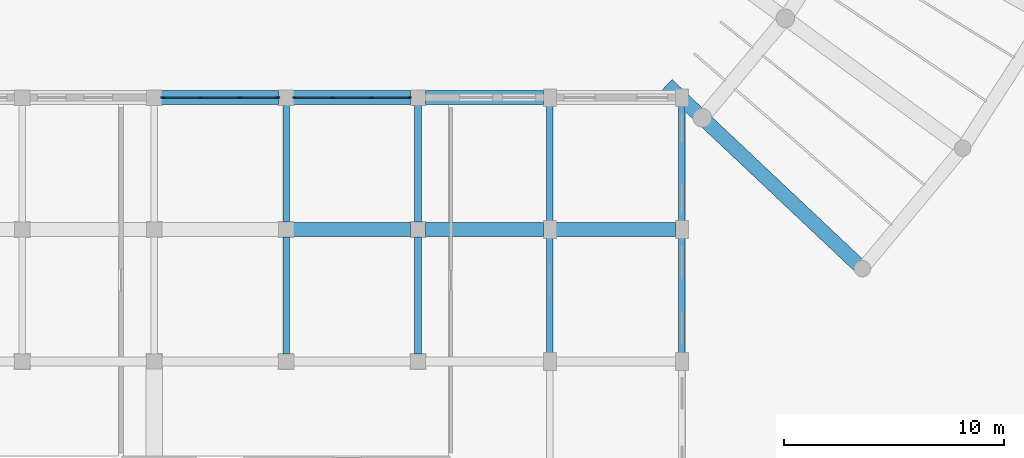
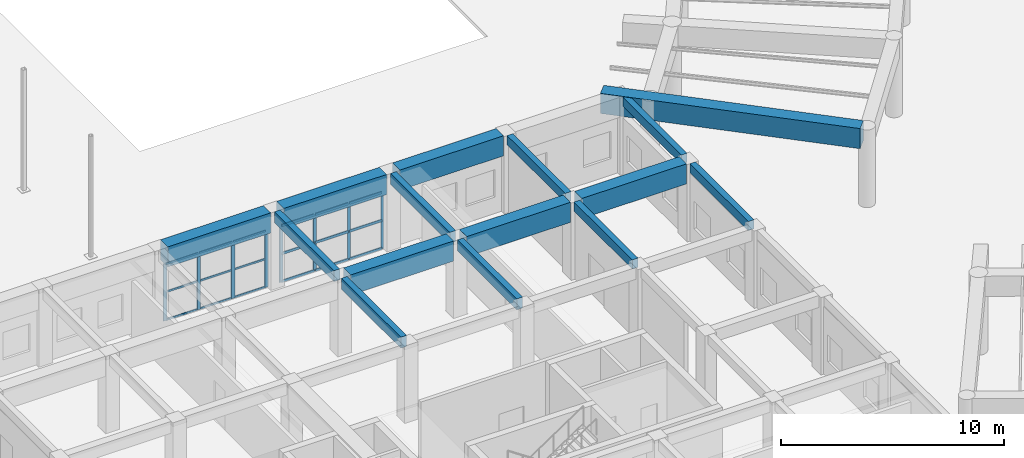
# One storey, part 12 of 76: 26 members, 15 beams, 2 elements without a shape of their own.
"""IFC4 building model written with IfcOpenShell, lengths in metres."""

import ifcopenshell
import ifcopenshell.guid

model = None  # the IFC model being written
_history = None  # IfcOwnerHistory: only IFC2X3 demands one
_inside = {}  # id of a spatial element -> (the spatial element, [elements in it])
_under = {}  # id of a project, library or spatial element -> (it, [spatial elements below it])
_declared = {}  # id of a project -> (the project, [libraries it declares])
_typed = {}  # id of a type object -> (the type object, [elements of that type])
_made_of = {}  # id of a material, layer set ... -> (it, [elements and type objects made of it])


def new_model(schema):
    """Start an empty IFC model of exactly this schema.

    Asked for "IFC4X3", IfcOpenShell would pick the latest addendum, in which some entities
    have other attributes; the version numbers below select the first issue.
    IFC2X3 requires an IfcOwnerHistory on every rooted entity: one is made here for all.
    """
    global model, _history
    if schema == "IFC4X3":
        model = ifcopenshell.file(schema_version=(4, 3, 0, 0))
    else:
        model = ifcopenshell.file(schema=schema)
    _inside.clear()
    _under.clear()
    _declared.clear()
    _typed.clear()
    _made_of.clear()
    _history = None
    if model.schema == "IFC2X3":
        org = make("IfcOrganization", Name="unknown")
        user = make(
            "IfcPersonAndOrganization",
            ThePerson=make("IfcPerson", FamilyName="unknown"),
            TheOrganization=org,
        )
        app = make(
            "IfcApplication",
            ApplicationDeveloper=org,
            Version="unknown",
            ApplicationFullName="unknown",
            ApplicationIdentifier="unknown",
        )
        _history = make(
            "IfcOwnerHistory",
            OwningUser=user,
            OwningApplication=app,
            ChangeAction="ADDED",
            CreationDate=0,
        )
    return model


def make(cls, **values):
    """One entity of the class cls with the attributes given. An attribute that is None is left unset."""
    return model.create_entity(
        cls, **{name: value for name, value in values.items() if value is not None}
    )


def rooted(cls, **values):
    """An entity with a GlobalId (a new one), such as an element, a storey or a relation."""
    return make(cls, GlobalId=ifcopenshell.guid.new(), OwnerHistory=_history, **values)


def si_unit(unit_type, name, prefix=None):
    """IfcSIUnit, for example si_unit("LENGTHUNIT", "METRE", prefix="MILLI")."""
    return make("IfcSIUnit", UnitType=unit_type, Prefix=prefix, Name=name)


def assignment(units):
    """IfcUnitAssignment: the units of a project."""
    return None if units is None else make("IfcUnitAssignment", Units=units)


def point(xyz):
    """IfcCartesianPoint."""
    return None if xyz is None else make("IfcCartesianPoint", Coordinates=xyz)


def direction(xyz):
    """IfcDirection."""
    return None if xyz is None else make("IfcDirection", DirectionRatios=xyz)


def frame(location, z_axis=None, x_axis=None):
    """IfcAxis2Placement3D, a coordinate frame: its origin and axes. An axis left out is left unset."""
    return make(
        "IfcAxis2Placement3D",
        Location=point(location),
        Axis=direction(z_axis),
        RefDirection=direction(x_axis),
    )


def frame_2d(location, x_axis=None):
    """IfcAxis2Placement2D, a coordinate frame in the plane: its origin and x axis."""
    return make(
        "IfcAxis2Placement2D", Location=point(location), RefDirection=direction(x_axis)
    )


def origin():
    """The frame at (0, 0, 0) with its axes left unset."""
    return frame((0.0, 0.0, 0.0))


def origin_2d():
    """The frame at (0, 0) in the plane with its x axis left unset."""
    return frame_2d((0.0, 0.0))


def place(relative_to, where):
    """IfcLocalPlacement: puts the frame where relative to a parent placement (None: the world)."""
    return make(
        "IfcLocalPlacement", PlacementRelTo=relative_to, RelativePlacement=where
    )


def context(
    kind, dimensions, precision=None, world=None, true_north=None, identifier=None
):
    """IfcGeometricRepresentationContext, for example the 3D "Model" context."""
    return make(
        "IfcGeometricRepresentationContext",
        ContextIdentifier=identifier,
        ContextType=kind,
        CoordinateSpaceDimension=dimensions,
        Precision=precision,
        WorldCoordinateSystem=world,
        TrueNorth=true_north,
    )


def subcontext(parent, identifier, kind, view, scale=None):
    """IfcGeometricRepresentationSubContext, for example "Body" below "Model"."""
    return make(
        "IfcGeometricRepresentationSubContext",
        ContextIdentifier=identifier,
        ContextType=kind,
        ParentContext=parent,
        TargetScale=scale,
        TargetView=view,
    )


def project(units=None, contexts=None):
    """IfcProject with its units and contexts."""
    return rooted(
        "IfcProject",
        Name="project",
        RepresentationContexts=contexts,
        UnitsInContext=assignment(units),
    )


def spatial(cls, under=None, at=None, **own):
    """A site, building, storey or space (cls), placed at a placement, below another one or the project."""
    s = rooted(cls, ObjectPlacement=at, **own)
    if under is not None:
        _under.setdefault(under.id(), (under, []))[1].append(s)
    return s


def profile(cls, at=None, kind="AREA", **sizes):
    """A parametric profile (cls). Its sizes go by their IFC names, for example OverallWidth=200.0."""
    return make(cls, ProfileType=kind, Position=at, **sizes)


def rectangle(**sizes):
    """IfcRectangleProfileDef."""
    return profile("IfcRectangleProfileDef", **sizes)


def extrude(swept, where, along, depth):
    """IfcExtrudedAreaSolid: the profile swept, set in the frame where, extruded along a direction by depth."""
    return make(
        "IfcExtrudedAreaSolid",
        SweptArea=swept,
        Position=where,
        ExtrudedDirection=direction(along),
        Depth=depth,
    )


def shape(context_of_items, identifier, shape_type, items):
    """IfcShapeRepresentation: the items that make up one representation, for example the "Body"."""
    return make(
        "IfcShapeRepresentation",
        ContextOfItems=context_of_items,
        RepresentationIdentifier=identifier,
        RepresentationType=shape_type,
        Items=items,
    )


def material(Name=None, Category=None):
    """IfcMaterial."""
    return make("IfcMaterial", Name=Name, Category=Category)


def layer(
    of_material, thickness, ventilated=None, Name=None, Category=None, Priority=None
):
    """IfcMaterialLayer: one layer of a wall or slab, of a material (None: an air gap)."""
    return make(
        "IfcMaterialLayer",
        Material=of_material,
        LayerThickness=thickness,
        IsVentilated=ventilated,
        Name=Name,
        Category=Category,
        Priority=Priority,
    )


def layer_set(layers, Name=None):
    """IfcMaterialLayerSet."""
    return make("IfcMaterialLayerSet", MaterialLayers=layers, LayerSetName=Name)


def material_profile(
    of_material, cross_section, Name=None, Category=None, Priority=None
):
    """IfcMaterialProfile: a cross section and its material."""
    return make(
        "IfcMaterialProfile",
        Name=Name,
        Material=of_material,
        Profile=cross_section,
        Priority=Priority,
        Category=Category,
    )


def profile_set(profiles, Name=None, composite=None):
    """IfcMaterialProfileSet."""
    return make(
        "IfcMaterialProfileSet",
        Name=Name,
        MaterialProfiles=profiles,
        CompositeProfile=composite,
    )


def made_of(thing, what):
    """Note that an element or type object is made of a material, layer set ...; save() writes the relation."""
    if what is not None:
        _made_of.setdefault(what.id(), (what, []))[1].append(thing)
    return thing


def type_object(cls, material=None, **own):
    """A type object (cls), such as IfcWallType, which elements share."""
    return made_of(rooted(cls, **own), material)


def element(
    cls,
    number,
    at=None,
    inside=None,
    cuts=None,
    type_object=None,
    material=None,
    context=None,
    identifier="Body",
    shape_type=None,
    held_by="IfcProductDefinitionShape",
    body=None,
    shapes=None,
    **own,
):
    """One element of the class cls, such as IfcWall. Its Tag is "e" and its number.

    at: its placement. inside: the storey or other place that contains it. cuts: it is an
    opening in that element (IfcRelVoidsElement). A single representation is given by context,
    identifier, shape_type and body (its items); several are given by shapes. held_by: the class
    of the entity that holds the representations. save() writes the other relations.
    """
    e = rooted(cls, Tag="e%d" % number, ObjectPlacement=at, **own)
    if body is not None:
        shapes = [shape(context, identifier, shape_type, body)]
    if shapes is not None:
        e.Representation = make(held_by, Representations=shapes)
    if inside is not None:
        _inside.setdefault(inside.id(), (inside, []))[1].append(e)
    if cuts is not None:
        rooted(
            "IfcRelVoidsElement", RelatingBuildingElement=cuts, RelatedOpeningElement=e
        )
    if type_object is not None:
        _typed.setdefault(type_object.id(), (type_object, []))[1].append(e)
    return made_of(e, material)


def aggregate(whole, parts):
    """IfcRelAggregates: a whole, such as a stair, and the parts it consists of."""
    return rooted("IfcRelAggregates", RelatingObject=whole, RelatedObjects=parts)


def save(model, path):
    """Write the relations noted so far, then the file.

    IfcRelAggregates (storeys below a building ...), IfcRelContainedInSpatialStructure (elements
    in a storey), IfcRelDefinesByType, IfcRelAssociatesMaterial and IfcRelDeclares: one each for
    every whole, place, type object, material and project.
    """
    for whole, parts in _under.values():
        aggregate(whole, parts)
    for where, things in _inside.values():
        rooted(
            "IfcRelContainedInSpatialStructure",
            RelatedElements=things,
            RelatingStructure=where,
        )
    for kind, things in _typed.values():
        rooted("IfcRelDefinesByType", RelatedObjects=things, RelatingType=kind)
    for what, things in _made_of.values():
        rooted("IfcRelAssociatesMaterial", RelatedObjects=things, RelatingMaterial=what)
    for by, libraries in _declared.values():
        rooted("IfcRelDeclares", RelatingContext=by, RelatedDefinitions=libraries)
    model.write(path)


model = new_model("IFC4")

# Units and contexts
model_context = context("Model", 3, precision=1e-05, world=origin(), true_north=direction((0.0, 1.0)))
body_context = subcontext(model_context, "Body", "Model", "MODEL_VIEW")
ifc_project = project(units=[si_unit("LENGTHUNIT", "METRE"), si_unit("AREAUNIT", "SQUARE_METRE"), si_unit("VOLUMEUNIT", "CUBIC_METRE"), si_unit("PLANEANGLEUNIT", "RADIAN"), si_unit("MASSUNIT", "GRAM", prefix="KILO"), si_unit("POWERUNIT", "WATT"), si_unit("THERMODYNAMICTEMPERATUREUNIT", "KELVIN")], contexts=[model_context])

# Site, building, storey
site_placement = place(None, origin())
site = spatial("IfcSite", under=ifc_project, at=site_placement, CompositionType="ELEMENT")
building_placement = place(site_placement, origin())
building = spatial("IfcBuilding", under=site, at=building_placement, Name="Ruvembo Vaulted Housing Court", CompositionType="ELEMENT")
storey_placement = place(building_placement, origin())
storey = spatial("IfcBuildingStorey", under=building, at=storey_placement, Name="L00", CompositionType="ELEMENT", Elevation=0.0)

# Beams
ifc_material_1 = material(Name="Concrete C35/45", Category="concrete")
ifc_material_profile_1 = material_profile(ifc_material_1, rectangle(XDim=0.300048828125, YDim=0.60009765625, at=origin_2d()), Name="RC 300x600")
ifc_profile_set_1 = profile_set([ifc_material_profile_1], Name="Concrete C35/45")
beam_type_1 = type_object("IfcBeamType", Name="BM-RC-300x600", PredefinedType="BEAM", material=ifc_profile_set_1)
for number, where, z_axis, x_axis, name in (
    (1, (18.0, 30.3349609375, 3.929931640625), (0.0, 1.0, 0.0), (-1.0, 0.0, 0.0), "L00 Grid Beam Y #964"),
    (2, (18.0, 36.3349609375, 3.929931640625), (0.0, 1.0, 0.0), (-1.0, 0.0, 0.0), "L00 Grid Beam Y #965"),
    (3, (24.0, 30.3349609375, 3.929931640625), (0.0, 1.0, 0.0), (-1.0, 0.0, 0.0), "L00 Grid Beam Y #970"),
    (4, (24.0, 36.3349609375, 3.929931640625), (0.0, 1.0, 0.0), (-1.0, 0.0, 0.0), "L00 Grid Beam Y #971"),
):
    element("IfcBeam", number, at=place(storey_placement, frame(where, z_axis=z_axis, x_axis=x_axis)), inside=storey, type_object=beam_type_1, Name=name, PredefinedType="BEAM", context=body_context, shape_type="SweptSolid", body=[
        extrude(rectangle(XDim=0.300048828125, YDim=0.60009765625, at=origin_2d()), origin(), (0.0, 0.0, 1.0), 5.330078125),
    ])

# Curtain wall, members
ifc_material_2 = material(Name="Anodised Aluminium and Solar-Control Glass", Category="aluminium")
ifc_layer = layer(ifc_material_2, 0.159912109375, Name="Anodised Aluminium and Solar-Control Glass")
ifc_layer_set = layer_set([ifc_layer], Name="Anodised Aluminium and Solar-Control Glass")
curtain_wall_type = type_object("IfcCurtainWallType", Name="CW-LOBBY", PredefinedType="NOTDEFINED", material=ifc_layer_set)
curtain_wall_1_placement = place(storey_placement, origin())
curtain_wall_1 = element("IfcCurtainWall", 5, at=curtain_wall_1_placement, inside=storey, type_object=curtain_wall_type, Name="L00 Curtain Wall CW-L00-0002", PredefinedType="NOTDEFINED")
ifc_material_3 = material(Name="Anodised Aluminium 6063-T6", Category="aluminium")
ifc_material_profile_2 = material_profile(ifc_material_3, rectangle(XDim=0.06494140625, YDim=0.179931640625, at=origin_2d()), Name="ALU 65x180")
ifc_profile_set_2 = profile_set([ifc_material_profile_2], Name="Anodised Aluminium 6063-T6")
member_type_1 = type_object("IfcMemberType", Name="CW-MUL-65x180", PredefinedType="MULLION", material=ifc_profile_set_2)
member_1_placement = place(storey_placement, frame((17.617431640625, 42.0, 0.0), z_axis=(0.0, 0.0, 1.0), x_axis=(0.0, -1.0, 0.0)))
member_1 = element("IfcMember", 6, at=member_1_placement, type_object=member_type_1, Name="CW5 mullion 1", PredefinedType="MULLION", context=body_context, shape_type="SweptSolid", body=[
    extrude(rectangle(XDim=0.06494140625, YDim=0.179931640625, at=origin_2d()), origin(), (0.0, 0.0, 1.0), 3.112060546875),
])
member_2_placement = place(storey_placement, frame((15.88330078125, 42.0, 0.0), z_axis=(0.0, 0.0, 1.0), x_axis=(0.0, -1.0, 0.0)))
member_2 = element("IfcMember", 7, at=member_2_placement, type_object=member_type_1, Name="CW5 mullion 2", PredefinedType="MULLION", context=body_context, shape_type="SweptSolid", body=[
    extrude(rectangle(XDim=0.06494140625, YDim=0.179931640625, at=origin_2d()), origin(), (0.0, 0.0, 1.0), 3.112060546875),
])
member_3_placement = place(storey_placement, frame((14.11669921875, 42.0, 0.0), z_axis=(0.0, 0.0, 1.0), x_axis=(0.0, -1.0, 0.0)))
member_3 = element("IfcMember", 8, at=member_3_placement, type_object=member_type_1, Name="CW5 mullion 3", PredefinedType="MULLION", context=body_context, shape_type="SweptSolid", body=[
    extrude(rectangle(XDim=0.06494140625, YDim=0.179931640625, at=origin_2d()), origin(), (0.0, 0.0, 1.0), 3.112060546875),
])
member_4_placement = place(storey_placement, frame((12.382568359375, 42.0, 0.0), z_axis=(0.0, 0.0, 1.0), x_axis=(0.0, -1.0, 0.0)))
member_4 = element("IfcMember", 9, at=member_4_placement, type_object=member_type_1, Name="CW5 mullion 4", PredefinedType="MULLION", context=body_context, shape_type="SweptSolid", body=[
    extrude(rectangle(XDim=0.06494140625, YDim=0.179931640625, at=origin_2d()), origin(), (0.0, 0.0, 1.0), 3.112060546875),
])

curtain_wall_2_placement = place(storey_placement, origin())
curtain_wall_2 = element("IfcCurtainWall", 10, at=curtain_wall_2_placement, inside=storey, type_object=curtain_wall_type, Name="L00 Curtain Wall CW-L00-0001", PredefinedType="NOTDEFINED")
ifc_material_profile_3 = material_profile(ifc_material_3, rectangle(XDim=0.06005859375, YDim=0.159912109375, at=origin_2d()), Name="ALU 60x160")
ifc_profile_set_3 = profile_set([ifc_material_profile_3], Name="Anodised Aluminium 6063-T6")
member_type_2 = type_object("IfcMemberType", Name="CW-MULLION-65x150", PredefinedType="MULLION", material=ifc_profile_set_3)
member_5_placement = place(storey_placement, frame((23.6201171875, 42.0, 0.0), z_axis=(0.0, 0.0, 1.0), x_axis=(0.0, -1.0, 0.0)))
member_5 = element("IfcMember", 11, at=member_5_placement, type_object=member_type_2, Name="CW5 mullion 1", PredefinedType="MULLION", context=body_context, shape_type="SweptSolid", body=[
    extrude(rectangle(XDim=0.06005859375, YDim=0.159912109375, at=origin_2d()), origin(), (0.0, 0.0, 1.0), 3.112060546875),
])
member_6_placement = place(storey_placement, frame((21.88330078125, 42.0, 0.0), z_axis=(0.0, 0.0, 1.0), x_axis=(0.0, -1.0, 0.0)))
member_6 = element("IfcMember", 12, at=member_6_placement, type_object=member_type_2, Name="CW5 mullion 2", PredefinedType="MULLION", context=body_context, shape_type="SweptSolid", body=[
    extrude(rectangle(XDim=0.06005859375, YDim=0.159912109375, at=origin_2d()), origin(), (0.0, 0.0, 1.0), 3.112060546875),
])
member_7_placement = place(storey_placement, frame((20.11669921875, 42.0, 0.0), z_axis=(0.0, 0.0, 1.0), x_axis=(0.0, -1.0, 0.0)))
member_7 = element("IfcMember", 13, at=member_7_placement, type_object=member_type_2, Name="CW5 mullion 3", PredefinedType="MULLION", context=body_context, shape_type="SweptSolid", body=[
    extrude(rectangle(XDim=0.06005859375, YDim=0.159912109375, at=origin_2d()), origin(), (0.0, 0.0, 1.0), 3.112060546875),
])
member_8_placement = place(storey_placement, frame((18.3798828125, 42.0, 0.0), z_axis=(0.0, 0.0, 1.0), x_axis=(0.0, -1.0, 0.0)))
member_8 = element("IfcMember", 14, at=member_8_placement, type_object=member_type_2, Name="CW5 mullion 4", PredefinedType="MULLION", context=body_context, shape_type="SweptSolid", body=[
    extrude(rectangle(XDim=0.06005859375, YDim=0.159912109375, at=origin_2d()), origin(), (0.0, 0.0, 1.0), 3.112060546875),
])

# Member
ifc_material_profile_4 = material_profile(ifc_material_3, rectangle(XDim=0.06005859375, YDim=0.10009765625, at=origin_2d()), Name="ALU 60x100")
ifc_profile_set_4 = profile_set([ifc_material_profile_4], Name="Anodised Aluminium 6063-T6")
member_type_3 = type_object("IfcMemberType", Name="CW-TRN-60x100", PredefinedType="USERDEFINED", material=ifc_profile_set_4)
member_9_placement = place(storey_placement, frame((17.5849609375, 42.0, 0.030029296875), z_axis=(-1.0, 0.0, 0.0), x_axis=(0.0, -1.0, 0.0)))
member_9 = element("IfcMember", 15, at=member_9_placement, type_object=member_type_3, Name="CW5 transom 1.1", ObjectType="TRANSOM", PredefinedType="USERDEFINED", context=body_context, shape_type="SweptSolid", body=[
    extrude(rectangle(XDim=0.06005859375, YDim=0.10009765625, at=origin_2d()), origin(), (0.0, 0.0, 1.0), 1.669189453125),
])

member_10_placement = place(storey_placement, frame((17.5849609375, 42.0, 1.555908203125), z_axis=(-1.0, 0.0, 0.0), x_axis=(0.0, -1.0, 0.0)))
member_10 = element("IfcMember", 16, at=member_10_placement, type_object=member_type_3, Name="CW5 transom 1.2", ObjectType="TRANSOM", PredefinedType="USERDEFINED", context=body_context, shape_type="SweptSolid", body=[
    extrude(rectangle(XDim=0.06005859375, YDim=0.10009765625, at=origin_2d()), origin(), (0.0, 0.0, 1.0), 1.669189453125),
])

member_11_placement = place(storey_placement, frame((17.5849609375, 42.0, 3.08203125), z_axis=(-1.0, 0.0, 0.0), x_axis=(0.0, -1.0, 0.0)))
member_11 = element("IfcMember", 17, at=member_11_placement, type_object=member_type_3, Name="CW5 transom 1.3", ObjectType="TRANSOM", PredefinedType="USERDEFINED", context=body_context, shape_type="SweptSolid", body=[
    extrude(rectangle(XDim=0.06005859375, YDim=0.10009765625, at=origin_2d()), origin(), (0.0, 0.0, 1.0), 1.669189453125),
])

member_12_placement = place(storey_placement, frame((15.850830078125, 42.0, 0.030029296875), z_axis=(-1.0, 0.0, 0.0), x_axis=(0.0, -1.0, 0.0)))
member_12 = element("IfcMember", 18, at=member_12_placement, type_object=member_type_3, Name="CW5 transom 2.1", ObjectType="TRANSOM", PredefinedType="USERDEFINED", context=body_context, shape_type="SweptSolid", body=[
    extrude(rectangle(XDim=0.06005859375, YDim=0.10009765625, at=origin_2d()), origin(), (0.0, 0.0, 1.0), 1.70166015625),
])

member_13_placement = place(storey_placement, frame((15.850830078125, 42.0, 1.555908203125), z_axis=(-1.0, 0.0, 0.0), x_axis=(0.0, -1.0, 0.0)))
member_13 = element("IfcMember", 19, at=member_13_placement, type_object=member_type_3, Name="CW5 transom 2.2", ObjectType="TRANSOM", PredefinedType="USERDEFINED", context=body_context, shape_type="SweptSolid", body=[
    extrude(rectangle(XDim=0.06005859375, YDim=0.10009765625, at=origin_2d()), origin(), (0.0, 0.0, 1.0), 1.70166015625),
])

member_14_placement = place(storey_placement, frame((15.850830078125, 42.0, 3.08203125), z_axis=(-1.0, 0.0, 0.0), x_axis=(0.0, -1.0, 0.0)))
member_14 = element("IfcMember", 20, at=member_14_placement, type_object=member_type_3, Name="CW5 transom 2.3", ObjectType="TRANSOM", PredefinedType="USERDEFINED", context=body_context, shape_type="SweptSolid", body=[
    extrude(rectangle(XDim=0.06005859375, YDim=0.10009765625, at=origin_2d()), origin(), (0.0, 0.0, 1.0), 1.70166015625),
])

member_15_placement = place(storey_placement, frame((14.084228515625, 42.0, 0.030029296875), z_axis=(-1.0, 0.0, 0.0), x_axis=(0.0, -1.0, 0.0)))
member_15 = element("IfcMember", 21, at=member_15_placement, type_object=member_type_3, Name="CW5 transom 3.1", ObjectType="TRANSOM", PredefinedType="USERDEFINED", context=body_context, shape_type="SweptSolid", body=[
    extrude(rectangle(XDim=0.06005859375, YDim=0.10009765625, at=origin_2d()), origin(), (0.0, 0.0, 1.0), 1.669189453125),
])

member_16_placement = place(storey_placement, frame((14.084228515625, 42.0, 1.555908203125), z_axis=(-1.0, 0.0, 0.0), x_axis=(0.0, -1.0, 0.0)))
member_16 = element("IfcMember", 22, at=member_16_placement, type_object=member_type_3, Name="CW5 transom 3.2", ObjectType="TRANSOM", PredefinedType="USERDEFINED", context=body_context, shape_type="SweptSolid", body=[
    extrude(rectangle(XDim=0.06005859375, YDim=0.10009765625, at=origin_2d()), origin(), (0.0, 0.0, 1.0), 1.669189453125),
])

member_17_placement = place(storey_placement, frame((14.084228515625, 42.0, 3.08203125), z_axis=(-1.0, 0.0, 0.0), x_axis=(0.0, -1.0, 0.0)))
member_17 = element("IfcMember", 23, at=member_17_placement, type_object=member_type_3, Name="CW5 transom 3.3", ObjectType="TRANSOM", PredefinedType="USERDEFINED", context=body_context, shape_type="SweptSolid", body=[
    extrude(rectangle(XDim=0.06005859375, YDim=0.10009765625, at=origin_2d()), origin(), (0.0, 0.0, 1.0), 1.669189453125),
])

aggregate(curtain_wall_1, [member_1, member_2, member_3, member_4, member_9, member_10, member_11, member_12, member_13, member_14, member_15, member_16, member_17])

ifc_material_profile_5 = material_profile(ifc_material_3, rectangle(XDim=0.06494140625, YDim=0.135009765625, at=origin_2d()), Name="ALU 65x135")
ifc_profile_set_5 = profile_set([ifc_material_profile_5], Name="Anodised Aluminium 6063-T6")
member_type_4 = type_object("IfcMemberType", Name="CW-TRN-65x135", PredefinedType="USERDEFINED", material=ifc_profile_set_5)
member_18_placement = place(storey_placement, frame((23.590087890625, 42.0, 0.032470703125), z_axis=(-1.0, 0.0, 0.0), x_axis=(0.0, -1.0, 0.0)))
member_18 = element("IfcMember", 24, at=member_18_placement, type_object=member_type_4, Name="CW5 transom 1.1", ObjectType="TRANSOM", PredefinedType="USERDEFINED", context=body_context, shape_type="SweptSolid", body=[
    extrude(rectangle(XDim=0.06494140625, YDim=0.135009765625, at=origin_2d()), origin(), (0.0, 0.0, 1.0), 1.6767578125),
])

member_19_placement = place(storey_placement, frame((23.590087890625, 42.0, 1.555908203125), z_axis=(-1.0, 0.0, 0.0), x_axis=(0.0, -1.0, 0.0)))
member_19 = element("IfcMember", 25, at=member_19_placement, type_object=member_type_4, Name="CW5 transom 1.2", ObjectType="TRANSOM", PredefinedType="USERDEFINED", context=body_context, shape_type="SweptSolid", body=[
    extrude(rectangle(XDim=0.06494140625, YDim=0.135009765625, at=origin_2d()), origin(), (0.0, 0.0, 1.0), 1.6767578125),
])

member_20_placement = place(storey_placement, frame((23.590087890625, 42.0, 3.07958984375), z_axis=(-1.0, 0.0, 0.0), x_axis=(0.0, -1.0, 0.0)))
member_20 = element("IfcMember", 26, at=member_20_placement, type_object=member_type_4, Name="CW5 transom 1.3", ObjectType="TRANSOM", PredefinedType="USERDEFINED", context=body_context, shape_type="SweptSolid", body=[
    extrude(rectangle(XDim=0.06494140625, YDim=0.135009765625, at=origin_2d()), origin(), (0.0, 0.0, 1.0), 1.6767578125),
])

member_21_placement = place(storey_placement, frame((21.853271484375, 42.0, 0.032470703125), z_axis=(-1.0, 0.0, 0.0), x_axis=(0.0, -1.0, 0.0)))
member_21 = element("IfcMember", 27, at=member_21_placement, type_object=member_type_4, Name="CW5 transom 2.1", ObjectType="TRANSOM", PredefinedType="USERDEFINED", context=body_context, shape_type="SweptSolid", body=[
    extrude(rectangle(XDim=0.06494140625, YDim=0.135009765625, at=origin_2d()), origin(), (0.0, 0.0, 1.0), 1.70654296875),
])

member_22_placement = place(storey_placement, frame((21.853271484375, 42.0, 1.555908203125), z_axis=(-1.0, 0.0, 0.0), x_axis=(0.0, -1.0, 0.0)))
member_22 = element("IfcMember", 28, at=member_22_placement, type_object=member_type_4, Name="CW5 transom 2.2", ObjectType="TRANSOM", PredefinedType="USERDEFINED", context=body_context, shape_type="SweptSolid", body=[
    extrude(rectangle(XDim=0.06494140625, YDim=0.135009765625, at=origin_2d()), origin(), (0.0, 0.0, 1.0), 1.70654296875),
])

member_23_placement = place(storey_placement, frame((21.853271484375, 42.0, 3.07958984375), z_axis=(-1.0, 0.0, 0.0), x_axis=(0.0, -1.0, 0.0)))
member_23 = element("IfcMember", 29, at=member_23_placement, type_object=member_type_4, Name="CW5 transom 2.3", ObjectType="TRANSOM", PredefinedType="USERDEFINED", context=body_context, shape_type="SweptSolid", body=[
    extrude(rectangle(XDim=0.06494140625, YDim=0.135009765625, at=origin_2d()), origin(), (0.0, 0.0, 1.0), 1.70654296875),
])

member_24_placement = place(storey_placement, frame((20.086669921875, 42.0, 0.032470703125), z_axis=(-1.0, 0.0, 0.0), x_axis=(0.0, -1.0, 0.0)))
member_24 = element("IfcMember", 30, at=member_24_placement, type_object=member_type_4, Name="CW5 transom 3.1", ObjectType="TRANSOM", PredefinedType="USERDEFINED", context=body_context, shape_type="SweptSolid", body=[
    extrude(rectangle(XDim=0.06494140625, YDim=0.135009765625, at=origin_2d()), origin(), (0.0, 0.0, 1.0), 1.6767578125),
])

member_25_placement = place(storey_placement, frame((20.086669921875, 42.0, 1.555908203125), z_axis=(-1.0, 0.0, 0.0), x_axis=(0.0, -1.0, 0.0)))
member_25 = element("IfcMember", 31, at=member_25_placement, type_object=member_type_4, Name="CW5 transom 3.2", ObjectType="TRANSOM", PredefinedType="USERDEFINED", context=body_context, shape_type="SweptSolid", body=[
    extrude(rectangle(XDim=0.06494140625, YDim=0.135009765625, at=origin_2d()), origin(), (0.0, 0.0, 1.0), 1.6767578125),
])

member_26_placement = place(storey_placement, frame((20.086669921875, 42.0, 3.07958984375), z_axis=(-1.0, 0.0, 0.0), x_axis=(0.0, -1.0, 0.0)))
member_26 = element("IfcMember", 32, at=member_26_placement, type_object=member_type_4, Name="CW5 transom 3.3", ObjectType="TRANSOM", PredefinedType="USERDEFINED", context=body_context, shape_type="SweptSolid", body=[
    extrude(rectangle(XDim=0.06494140625, YDim=0.135009765625, at=origin_2d()), origin(), (0.0, 0.0, 1.0), 1.6767578125),
])

aggregate(curtain_wall_2, [member_5, member_6, member_7, member_8, member_18, member_19, member_20, member_21, member_22, member_23, member_24, member_25, member_26])

# Beams
ifc_material_profile_6 = material_profile(ifc_material_1, rectangle(XDim=0.300048828125, YDim=0.5, at=origin_2d()), Name="RC 300x500")
ifc_profile_set_6 = profile_set([ifc_material_profile_6], Name="Concrete C35/45")
beam_type_2 = type_object("IfcBeamType", Name="SP-RC-300x500", PredefinedType="SPANDREL", material=ifc_profile_set_6)
for number, where, z_axis, x_axis, name in (
    (33, (30.0, 30.385009765625, 3.97998046875), (0.0, 1.0, 0.0), (-1.0, 0.0, 0.0), "L00 Grid Beam Y #978"),
    (34, (30.0, 36.385009765625, 3.97998046875), (0.0, 1.0, 0.0), (-1.0, 0.0, 0.0), "L00 Grid Beam Y #979"),
    (35, (36.0, 30.385009765625, 3.97998046875), (0.0, 1.0, 0.0), (-1.0, 0.0, 0.0), "L00 Grid Beam Y #986"),
    (36, (36.0, 36.385009765625, 3.97998046875), (0.0, 1.0, 0.0), (-1.0, 0.0, 0.0), "L00 Grid Beam Y #987"),
):
    element("IfcBeam", number, at=place(storey_placement, frame(where, z_axis=z_axis, x_axis=x_axis)), inside=storey, type_object=beam_type_2, Name=name, PredefinedType="SPANDREL", context=body_context, shape_type="SweptSolid", body=[
        extrude(rectangle(XDim=0.300048828125, YDim=0.5, at=origin_2d()), origin(), (0.0, 0.0, 1.0), 5.22998046875),
    ])
ifc_material_4 = material(Name="Concrete C40/50", Category="concrete")
ifc_material_profile_7 = material_profile(ifc_material_4, rectangle(XDim=0.64990234375, YDim=1.10009765625, at=origin_2d()), Name="RC 650x1100")
ifc_profile_set_7 = profile_set([ifc_material_profile_7], Name="Concrete C40/50")
beam_type_3 = type_object("IfcBeamType", Name="TB-RC-650x1100", PredefinedType="BEAM", material=ifc_profile_set_7)
beam_1_placement = place(storey_placement, frame((18.3349609375, 36.0, 3.679931640625), z_axis=(1.0, 0.0, 0.0), x_axis=(0.0, 1.0, 0.0)))
element("IfcBeam", 37, at=beam_1_placement, inside=storey, type_object=beam_type_3, Name="L00 Grid Beam X #814", PredefinedType="BEAM", context=body_context, shape_type="SweptSolid", body=[
    extrude(rectangle(XDim=0.64990234375, YDim=1.10009765625, at=origin_2d()), origin(), (0.0, 0.0, 1.0), 5.330078125),
])
beam_2_placement = place(storey_placement, frame((24.3349609375, 36.0, 3.679931640625), z_axis=(1.0, 0.0, 0.0), x_axis=(0.0, 1.0, 0.0)))
element("IfcBeam", 38, at=beam_2_placement, inside=storey, type_object=beam_type_3, Name="L00 Grid Beam X #815", PredefinedType="BEAM", context=body_context, shape_type="SweptSolid", body=[
    extrude(rectangle(XDim=0.64990234375, YDim=1.10009765625, at=origin_2d()), origin(), (0.0, 0.0, 1.0), 5.380126953125),
])
beam_3_placement = place(storey_placement, frame((30.284912109375, 36.0, 3.679931640625), z_axis=(1.0, 0.0, 0.0), x_axis=(0.0, 1.0, 0.0)))
element("IfcBeam", 39, at=beam_3_placement, inside=storey, type_object=beam_type_3, Name="L00 Grid Beam X #816", PredefinedType="BEAM", context=body_context, shape_type="SweptSolid", body=[
    extrude(rectangle(XDim=0.64990234375, YDim=1.10009765625, at=origin_2d()), origin(), (0.0, 0.0, 1.0), 5.43017578125),
])
for number, where, z_axis, x_axis, name in (
    (40, (12.3349609375, 42.0, 3.679931640625), (1.0, 0.0, 0.0), (0.0, 1.0, 0.0), "L00 Grid Beam X #832"),
    (41, (18.3349609375, 42.0, 3.679931640625), (1.0, 0.0, 0.0), (0.0, 1.0, 0.0), "L00 Grid Beam X #833"),
):
    element("IfcBeam", number, at=place(storey_placement, frame(where, z_axis=z_axis, x_axis=x_axis)), inside=storey, type_object=beam_type_3, Name=name, PredefinedType="BEAM", context=body_context, shape_type="SweptSolid", body=[
        extrude(rectangle(XDim=0.64990234375, YDim=1.10009765625, at=origin_2d()), origin(), (0.0, 0.0, 1.0), 5.330078125),
    ])
beam_4_placement = place(storey_placement, frame((24.3349609375, 42.0, 3.679931640625), z_axis=(1.0, 0.0, 0.0), x_axis=(0.0, 1.0, 0.0)))
element("IfcBeam", 42, at=beam_4_placement, inside=storey, type_object=beam_type_3, Name="L00 Grid Beam X #834", PredefinedType="BEAM", context=body_context, shape_type="SweptSolid", body=[
    extrude(rectangle(XDim=0.64990234375, YDim=1.10009765625, at=origin_2d()), origin(), (0.0, 0.0, 1.0), 5.380126953125),
])
beam_5_placement = place(storey_placement, frame((44.033203125, 34.3837890625, 3.697998046875), z_axis=(-0.727720391959, 0.685873917807, 0.0), x_axis=(-0.685873917807, -0.727720391959, 0.0)))
element("IfcBeam", 43, at=beam_5_placement, inside=storey, type_object=beam_type_3, Name="Scoop SC1 Radial Pilotis Transfer Girder 0", PredefinedType="BEAM", context=body_context, shape_type="SweptSolid", body=[
    extrude(rectangle(XDim=0.64990234375, YDim=1.10009765625, at=origin_2d()), origin(), (0.0, 0.0, 1.0), 11.960205078125),
])

save(model, "model.ifc")
